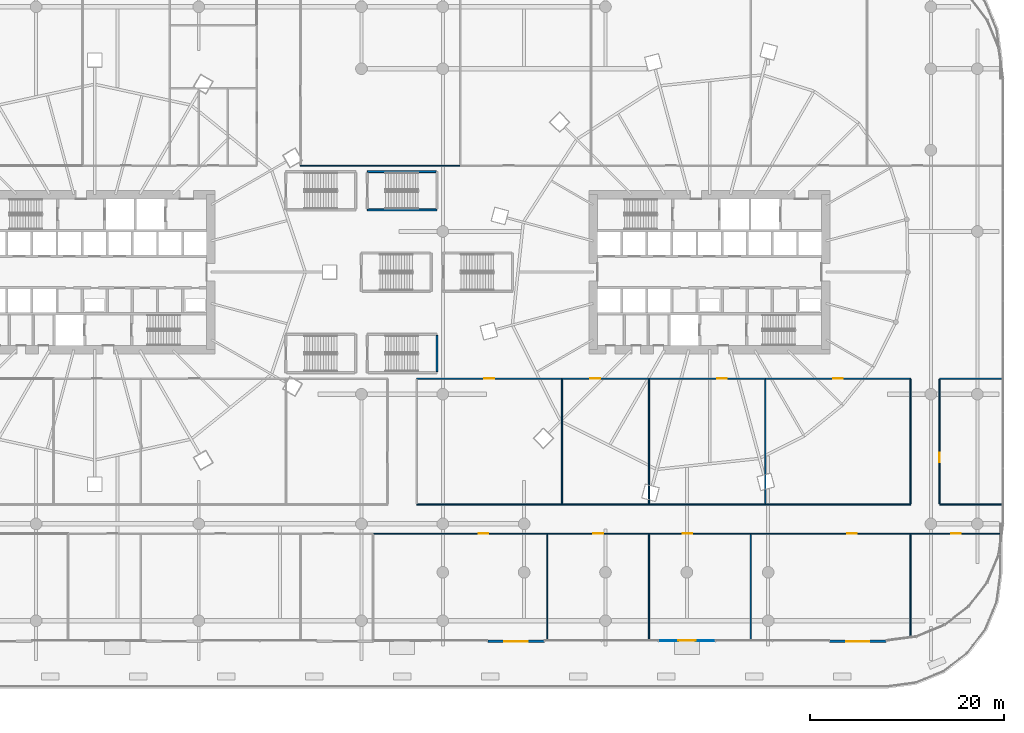
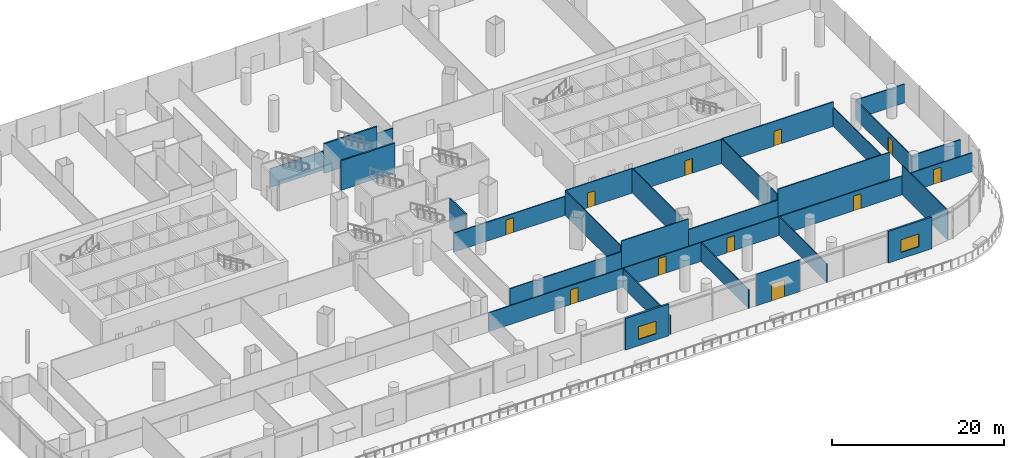
# One storey, part 31 of 43: 31 walls, 11 doors, 2 windows, 13 openings.
"""IFC4 building model written with IfcOpenShell, lengths in metres."""

import ifcopenshell
import ifcopenshell.guid

model = None  # the IFC model being written
_history = None  # IfcOwnerHistory: only IFC2X3 demands one
_inside = {}  # id of a spatial element -> (the spatial element, [elements in it])
_under = {}  # id of a project, library or spatial element -> (it, [spatial elements below it])
_declared = {}  # id of a project -> (the project, [libraries it declares])
_typed = {}  # id of a type object -> (the type object, [elements of that type])
_made_of = {}  # id of a material, layer set ... -> (it, [elements and type objects made of it])


def new_model(schema):
    """Start an empty IFC model of exactly this schema.

    Asked for "IFC4X3", IfcOpenShell would pick the latest addendum, in which some entities
    have other attributes; the version numbers below select the first issue.
    IFC2X3 requires an IfcOwnerHistory on every rooted entity: one is made here for all.
    """
    global model, _history
    if schema == "IFC4X3":
        model = ifcopenshell.file(schema_version=(4, 3, 0, 0))
    else:
        model = ifcopenshell.file(schema=schema)
    _inside.clear()
    _under.clear()
    _declared.clear()
    _typed.clear()
    _made_of.clear()
    _history = None
    if model.schema == "IFC2X3":
        org = make("IfcOrganization", Name="unknown")
        user = make(
            "IfcPersonAndOrganization",
            ThePerson=make("IfcPerson", FamilyName="unknown"),
            TheOrganization=org,
        )
        app = make(
            "IfcApplication",
            ApplicationDeveloper=org,
            Version="unknown",
            ApplicationFullName="unknown",
            ApplicationIdentifier="unknown",
        )
        _history = make(
            "IfcOwnerHistory",
            OwningUser=user,
            OwningApplication=app,
            ChangeAction="ADDED",
            CreationDate=0,
        )
    return model


def make(cls, **values):
    """One entity of the class cls with the attributes given. An attribute that is None is left unset."""
    return model.create_entity(
        cls, **{name: value for name, value in values.items() if value is not None}
    )


def rooted(cls, **values):
    """An entity with a GlobalId (a new one), such as an element, a storey or a relation."""
    return make(cls, GlobalId=ifcopenshell.guid.new(), OwnerHistory=_history, **values)


def si_unit(unit_type, name, prefix=None):
    """IfcSIUnit, for example si_unit("LENGTHUNIT", "METRE", prefix="MILLI")."""
    return make("IfcSIUnit", UnitType=unit_type, Prefix=prefix, Name=name)


def assignment(units):
    """IfcUnitAssignment: the units of a project."""
    return None if units is None else make("IfcUnitAssignment", Units=units)


def point(xyz):
    """IfcCartesianPoint."""
    return None if xyz is None else make("IfcCartesianPoint", Coordinates=xyz)


def direction(xyz):
    """IfcDirection."""
    return None if xyz is None else make("IfcDirection", DirectionRatios=xyz)


def frame(location, z_axis=None, x_axis=None):
    """IfcAxis2Placement3D, a coordinate frame: its origin and axes. An axis left out is left unset."""
    return make(
        "IfcAxis2Placement3D",
        Location=point(location),
        Axis=direction(z_axis),
        RefDirection=direction(x_axis),
    )


def frame_2d(location, x_axis=None):
    """IfcAxis2Placement2D, a coordinate frame in the plane: its origin and x axis."""
    return make(
        "IfcAxis2Placement2D", Location=point(location), RefDirection=direction(x_axis)
    )


def origin():
    """The frame at (0, 0, 0) with its axes left unset."""
    return frame((0.0, 0.0, 0.0))


def place(relative_to, where):
    """IfcLocalPlacement: puts the frame where relative to a parent placement (None: the world)."""
    return make(
        "IfcLocalPlacement", PlacementRelTo=relative_to, RelativePlacement=where
    )


def context(
    kind, dimensions, precision=None, world=None, true_north=None, identifier=None
):
    """IfcGeometricRepresentationContext, for example the 3D "Model" context."""
    return make(
        "IfcGeometricRepresentationContext",
        ContextIdentifier=identifier,
        ContextType=kind,
        CoordinateSpaceDimension=dimensions,
        Precision=precision,
        WorldCoordinateSystem=world,
        TrueNorth=true_north,
    )


def subcontext(parent, identifier, kind, view, scale=None):
    """IfcGeometricRepresentationSubContext, for example "Body" below "Model"."""
    return make(
        "IfcGeometricRepresentationSubContext",
        ContextIdentifier=identifier,
        ContextType=kind,
        ParentContext=parent,
        TargetScale=scale,
        TargetView=view,
    )


def project(units=None, contexts=None):
    """IfcProject with its units and contexts."""
    return rooted(
        "IfcProject",
        Name="project",
        RepresentationContexts=contexts,
        UnitsInContext=assignment(units),
    )


def spatial(cls, under=None, at=None, **own):
    """A site, building, storey or space (cls), placed at a placement, below another one or the project."""
    s = rooted(cls, ObjectPlacement=at, **own)
    if under is not None:
        _under.setdefault(under.id(), (under, []))[1].append(s)
    return s


def profile(cls, at=None, kind="AREA", **sizes):
    """A parametric profile (cls). Its sizes go by their IFC names, for example OverallWidth=200.0."""
    return make(cls, ProfileType=kind, Position=at, **sizes)


def rectangle(**sizes):
    """IfcRectangleProfileDef."""
    return profile("IfcRectangleProfileDef", **sizes)


def extrude(swept, where, along, depth):
    """IfcExtrudedAreaSolid: the profile swept, set in the frame where, extruded along a direction by depth."""
    return make(
        "IfcExtrudedAreaSolid",
        SweptArea=swept,
        Position=where,
        ExtrudedDirection=direction(along),
        Depth=depth,
    )


def shape(context_of_items, identifier, shape_type, items):
    """IfcShapeRepresentation: the items that make up one representation, for example the "Body"."""
    return make(
        "IfcShapeRepresentation",
        ContextOfItems=context_of_items,
        RepresentationIdentifier=identifier,
        RepresentationType=shape_type,
        Items=items,
    )


def material(Name=None, Category=None):
    """IfcMaterial."""
    return make("IfcMaterial", Name=Name, Category=Category)


def layer(
    of_material, thickness, ventilated=None, Name=None, Category=None, Priority=None
):
    """IfcMaterialLayer: one layer of a wall or slab, of a material (None: an air gap)."""
    return make(
        "IfcMaterialLayer",
        Material=of_material,
        LayerThickness=thickness,
        IsVentilated=ventilated,
        Name=Name,
        Category=Category,
        Priority=Priority,
    )


def layer_set(layers, Name=None):
    """IfcMaterialLayerSet."""
    return make("IfcMaterialLayerSet", MaterialLayers=layers, LayerSetName=Name)


def made_of(thing, what):
    """Note that an element or type object is made of a material, layer set ...; save() writes the relation."""
    if what is not None:
        _made_of.setdefault(what.id(), (what, []))[1].append(thing)
    return thing


def type_object(cls, material=None, **own):
    """A type object (cls), such as IfcWallType, which elements share."""
    return made_of(rooted(cls, **own), material)


def element(
    cls,
    number,
    at=None,
    inside=None,
    cuts=None,
    type_object=None,
    material=None,
    context=None,
    identifier="Body",
    shape_type=None,
    held_by="IfcProductDefinitionShape",
    body=None,
    shapes=None,
    **own,
):
    """One element of the class cls, such as IfcWall. Its Tag is "e" and its number.

    at: its placement. inside: the storey or other place that contains it. cuts: it is an
    opening in that element (IfcRelVoidsElement). A single representation is given by context,
    identifier, shape_type and body (its items); several are given by shapes. held_by: the class
    of the entity that holds the representations. save() writes the other relations.
    """
    e = rooted(cls, Tag="e%d" % number, ObjectPlacement=at, **own)
    if body is not None:
        shapes = [shape(context, identifier, shape_type, body)]
    if shapes is not None:
        e.Representation = make(held_by, Representations=shapes)
    if inside is not None:
        _inside.setdefault(inside.id(), (inside, []))[1].append(e)
    if cuts is not None:
        rooted(
            "IfcRelVoidsElement", RelatingBuildingElement=cuts, RelatedOpeningElement=e
        )
    if type_object is not None:
        _typed.setdefault(type_object.id(), (type_object, []))[1].append(e)
    return made_of(e, material)


def fill(opening, filler):
    """IfcRelFillsElement: the door or window that sits in an opening."""
    return rooted(
        "IfcRelFillsElement",
        RelatingOpeningElement=opening,
        RelatedBuildingElement=filler,
    )


def aggregate(whole, parts):
    """IfcRelAggregates: a whole, such as a stair, and the parts it consists of."""
    return rooted("IfcRelAggregates", RelatingObject=whole, RelatedObjects=parts)


def save(model, path):
    """Write the relations noted so far, then the file.

    IfcRelAggregates (storeys below a building ...), IfcRelContainedInSpatialStructure (elements
    in a storey), IfcRelDefinesByType, IfcRelAssociatesMaterial and IfcRelDeclares: one each for
    every whole, place, type object, material and project.
    """
    for whole, parts in _under.values():
        aggregate(whole, parts)
    for where, things in _inside.values():
        rooted(
            "IfcRelContainedInSpatialStructure",
            RelatedElements=things,
            RelatingStructure=where,
        )
    for kind, things in _typed.values():
        rooted("IfcRelDefinesByType", RelatedObjects=things, RelatingType=kind)
    for what, things in _made_of.values():
        rooted("IfcRelAssociatesMaterial", RelatedObjects=things, RelatingMaterial=what)
    for by, libraries in _declared.values():
        rooted("IfcRelDeclares", RelatingContext=by, RelatedDefinitions=libraries)
    model.write(path)


model = new_model("IFC4")

# Units and contexts
model_context = context("Model", 3, precision=1e-05, world=origin(), true_north=direction((0.0, 1.0)))
body_context = subcontext(model_context, "Body", "Model", "MODEL_VIEW")
ifc_project = project(units=[si_unit("LENGTHUNIT", "METRE"), si_unit("AREAUNIT", "SQUARE_METRE"), si_unit("VOLUMEUNIT", "CUBIC_METRE"), si_unit("PLANEANGLEUNIT", "RADIAN"), si_unit("MASSUNIT", "GRAM", prefix="KILO")], contexts=[model_context])

# Site, building, storey
site_placement = place(None, origin())
site = spatial("IfcSite", under=ifc_project, at=site_placement, CompositionType="ELEMENT")
building_placement = place(site_placement, origin())
building = spatial("IfcBuilding", under=site, at=building_placement, Name="Rimbun Link Towers", CompositionType="ELEMENT")
storey_placement = place(building_placement, frame((0.0, 0.0, 12.0)))
storey = spatial("IfcBuildingStorey", under=building, at=storey_placement, Name="L02", CompositionType="ELEMENT", Elevation=12.0)

# Wall, opening, door
ifc_material_1 = material(Name="Aluminium framed insulated infill panel", Category="aluminium")
ifc_layer_1 = layer(ifc_material_1, 0.10009765625)
ifc_layer_set_1 = layer_set([ifc_layer_1], Name="ED framed infill wall 100")
wall_type_1 = type_object("IfcWallType", Name="ED framed infill wall 100", PredefinedType="STANDARD", material=ifc_layer_set_1)
wall_1_placement = place(storey_placement, frame((32.3330078125, -38.050048828125, 0.0), z_axis=(0.0, 0.0, 1.0), x_axis=(-1.0, 0.0, 0.0)))
wall_1 = element("IfcWall", 1, at=wall_1_placement, inside=storey, type_object=wall_type_1, Name="Framed door bay wall", PredefinedType="STANDARD", context=body_context, shape_type="SweptSolid", body=[
    extrude(rectangle(XDim=5.842529296875, YDim=0.10009765625, at=frame_2d((2.92138671875, 0.0))), origin(), (0.0, 0.0, 1.0), 4.5),
])
opening_1_placement = place(wall_1_placement, frame((2.021240234375, 0.0, 0.0)))
opening_1 = element("IfcOpeningElement", 2, at=opening_1_placement, cuts=wall_1, Name="Opening ED34", PredefinedType="OPENING", context=body_context, shape_type="SweptSolid", body=[
    extrude(rectangle(XDim=1.800048828125, YDim=2.39990234375, at=frame_2d((0.89990234375, 1.199951171875))), frame((0.0, 0.06005859375, 0.0), z_axis=(0.0, -1.0, 0.0), x_axis=(1.0, 0.0, 0.0)), (0.0, 0.0, 1.0), 0.1201171875),
])
ifc_material_2 = material(Name="Aluminium framed glazed door, low-iron glass", Category="aluminium")
door_type_1 = type_object("IfcDoorType", Name="ED terrace door double leaf 1800X2400", OperationType="DOUBLE_DOOR_SINGLE_SWING", PredefinedType="DOOR", material=ifc_material_2)
door_1_placement = place(opening_1_placement, origin())
door_1 = element("IfcDoor", 3, at=door_1_placement, inside=storey, type_object=door_type_1, Name="Terrace door", OperationType="SINGLE_SWING_LEFT", OverallHeight=2.39990234375, OverallWidth=1.800048828125, PredefinedType="DOOR", context=body_context, shape_type="SweptSolid", body=[
    extrude(rectangle(XDim=1.800048828125, YDim=2.39990234375, at=frame_2d((0.89990234375, 1.199951171875))), frame((0.0, 0.02490234375, 0.0), z_axis=(0.0, -1.0, 0.0), x_axis=(1.0, 0.0, 0.0)), (0.0, 0.0, 1.0), 0.050048828125),
])
fill(opening_1, door_1)

# Wall, opening, window
ifc_material_3 = material(Name="Concrete C32/40, terracotta rainscreen cladding", Category="masonry")
ifc_layer_2 = layer(ifc_material_3, 0.25)
ifc_layer_set_2 = layer_set([ifc_layer_2], Name="PD solid bay wall 250")
wall_type_2 = type_object("IfcWallType", Name="PD solid bay wall 250", PredefinedType="STANDARD", material=ifc_layer_set_2)
wall_2_placement = place(storey_placement, frame((14.685791015625, -38.125, 0.0), z_axis=(0.0, 0.0, 1.0), x_axis=(-1.0, 0.0, 0.0)))
wall_2 = element("IfcWall", 4, at=wall_2_placement, inside=storey, type_object=wall_type_2, Name="Solid bay wall", PredefinedType="STANDARD", context=body_context, shape_type="SweptSolid", body=[
    extrude(rectangle(XDim=5.84228515625, YDim=0.25, at=frame_2d((2.921142578125, 0.0))), origin(), (0.0, 0.0, 1.0), 4.5),
])
opening_2_placement = place(wall_2_placement, frame((1.72119140625, 0.0, 0.89990234375)))
opening_2 = element("IfcOpeningElement", 5, at=opening_2_placement, cuts=wall_2, Name="Opening WN08", PredefinedType="OPENING", context=body_context, shape_type="SweptSolid", body=[
    extrude(rectangle(XDim=2.39990234375, YDim=1.800048828125, at=frame_2d((1.199951171875, 0.89990234375))), frame((0.0, 0.135009765625, 0.0), z_axis=(0.0, -1.0, 0.0), x_axis=(1.0, 0.0, 0.0)), (0.0, 0.0, 1.0), 0.27001953125),
])
ifc_material_4 = material(Name="Aluminium framed window, low-iron glass", Category="aluminium")
window_type = type_object("IfcWindowType", Name="W1 podium window 2400X1800", PartitioningType="SINGLE_PANEL", PredefinedType="WINDOW", material=ifc_material_4)
window_1_placement = place(opening_2_placement, origin())
window_1 = element("IfcWindow", 6, at=window_1_placement, inside=storey, type_object=window_type, Name="Podium window", OverallHeight=1.800048828125, OverallWidth=2.39990234375, PartitioningType="SINGLE_PANEL", PredefinedType="WINDOW", context=body_context, shape_type="SweptSolid", body=[
    extrude(rectangle(XDim=2.39990234375, YDim=1.800048828125, at=frame_2d((1.199951171875, 0.89990234375))), frame((0.0, 0.030029296875, 0.0), z_axis=(0.0, -1.0, 0.0), x_axis=(1.0, 0.0, 0.0)), (0.0, 0.0, 1.0), 0.06005859375),
])
fill(opening_2, window_1)

wall_3_placement = place(storey_placement, frame((49.97998046875, -38.125, 0.0), z_axis=(0.0, 0.0, 1.0), x_axis=(-1.0, 0.0, 0.0)))
wall_3 = element("IfcWall", 7, at=wall_3_placement, inside=storey, type_object=wall_type_2, Name="Solid bay wall", PredefinedType="STANDARD", context=body_context, shape_type="SweptSolid", body=[
    extrude(rectangle(XDim=5.84228515625, YDim=0.25, at=frame_2d((2.921142578125, 0.0))), origin(), (0.0, 0.0, 1.0), 4.5),
])
opening_3_placement = place(wall_3_placement, frame((1.72119140625, 0.0, 0.89990234375)))
opening_3 = element("IfcOpeningElement", 8, at=opening_3_placement, cuts=wall_3, Name="Opening WN09", PredefinedType="OPENING", context=body_context, shape_type="SweptSolid", body=[
    extrude(rectangle(XDim=2.39990234375, YDim=1.800048828125, at=frame_2d((1.199951171875, 0.89990234375))), frame((0.0, 0.135009765625, 0.0), z_axis=(0.0, -1.0, 0.0), x_axis=(1.0, 0.0, 0.0)), (0.0, 0.0, 1.0), 0.27001953125),
])
window_2_placement = place(opening_3_placement, origin())
window_2 = element("IfcWindow", 9, at=window_2_placement, inside=storey, type_object=window_type, Name="Podium window", OverallHeight=1.800048828125, OverallWidth=2.39990234375, PartitioningType="SINGLE_PANEL", PredefinedType="WINDOW", context=body_context, shape_type="SweptSolid", body=[
    extrude(rectangle(XDim=2.39990234375, YDim=1.800048828125, at=frame_2d((1.199951171875, 0.89990234375))), frame((0.0, 0.030029296875, 0.0), z_axis=(0.0, -1.0, 0.0), x_axis=(1.0, 0.0, 0.0)), (0.0, 0.0, 1.0), 0.06005859375),
])
fill(opening_3, window_2)

# Wall, opening, door
ifc_material_5 = material(Name="Gypsum board on steel studs", Category="steel")
ifc_layer_3 = layer(ifc_material_5, 0.125)
ifc_layer_set_3 = layer_set([ifc_layer_3], Name="Partition 125 board on studs")
wall_type_3 = type_object("IfcWallType", Name="Partition 125 board on studs", PredefinedType="PARTITIONING", material=ifc_layer_set_3)
wall_4_placement = place(storey_placement, frame((1.5, -11.0, 0.0), z_axis=(0.0, 0.0, 1.0), x_axis=(1.0, 0.0, 0.0)))
wall_4 = element("IfcWall", 10, at=wall_4_placement, inside=storey, type_object=wall_type_3, Name="PD/PW/L02/030", PredefinedType="PARTITIONING", context=body_context, shape_type="SweptSolid", body=[
    extrude(rectangle(XDim=15.0, YDim=0.125, at=frame_2d((7.5, 0.0))), origin(), (0.0, 0.0, 1.0), 2.679931640625),
])
opening_4_placement = place(wall_4_placement, frame((7.0, 0.0, 0.0)))
opening_4 = element("IfcOpeningElement", 11, at=opening_4_placement, cuts=wall_4, Name="Opening PD D02.16", PredefinedType="OPENING", context=body_context, shape_type="SweptSolid", body=[
    extrude(rectangle(XDim=1.0, YDim=2.10009765625, at=frame_2d((0.5, 1.050048828125))), frame((0.0, 0.072509765625, 0.0), z_axis=(0.0, -1.0, 0.0), x_axis=(1.0, 0.0, 0.0)), (0.0, 0.0, 1.0), 0.14501953125),
])
ifc_material_6 = material(Name="Timber door set", Category="wood")
door_type_2 = type_object("IfcDoorType", Name="Door single leaf 1000 x 2100", OperationType="NOTDEFINED", PredefinedType="DOOR", material=ifc_material_6)
door_2_placement = place(opening_4_placement, origin())
door_2 = element("IfcDoor", 12, at=door_2_placement, inside=storey, type_object=door_type_2, Name="PD/DR/L02/016", OperationType="SINGLE_SWING_LEFT", OverallHeight=2.10009765625, OverallWidth=1.0, PredefinedType="DOOR", context=body_context, shape_type="SweptSolid", body=[
    extrude(rectangle(XDim=1.0, YDim=2.10009765625, at=frame_2d((0.5, 1.050048828125))), frame((0.0, 0.02490234375, 0.0), z_axis=(0.0, -1.0, 0.0), x_axis=(1.0, 0.0, 0.0)), (0.0, 0.0, 1.0), 0.050048828125),
])
fill(opening_4, door_2)

wall_5_placement = place(storey_placement, frame((16.5, -11.0, 0.0), z_axis=(0.0, 0.0, 1.0), x_axis=(1.0, 0.0, 0.0)))
wall_5 = element("IfcWall", 13, at=wall_5_placement, inside=storey, type_object=wall_type_3, Name="PD/PW/L02/031", PredefinedType="PARTITIONING", context=body_context, shape_type="SweptSolid", body=[
    extrude(rectangle(XDim=9.0, YDim=0.125, at=frame_2d((4.5, 0.0))), origin(), (0.0, 0.0, 1.0), 3.49609375),
])
opening_5_placement = place(wall_5_placement, frame((2.93505859375, 0.0, 0.0)))
opening_5 = element("IfcOpeningElement", 14, at=opening_5_placement, cuts=wall_5, Name="Opening PD D02.17", PredefinedType="OPENING", context=body_context, shape_type="SweptSolid", body=[
    extrude(rectangle(XDim=1.0, YDim=2.10009765625, at=frame_2d((0.5, 1.050048828125))), frame((0.0, 0.072509765625, 0.0), z_axis=(0.0, -1.0, 0.0), x_axis=(1.0, 0.0, 0.0)), (0.0, 0.0, 1.0), 0.14501953125),
])
door_3_placement = place(opening_5_placement, origin())
door_3 = element("IfcDoor", 15, at=door_3_placement, inside=storey, type_object=door_type_2, Name="PD/DR/L02/017", OperationType="SINGLE_SWING_RIGHT", OverallHeight=2.10009765625, OverallWidth=1.0, PredefinedType="DOOR", context=body_context, shape_type="SweptSolid", body=[
    extrude(rectangle(XDim=1.0, YDim=2.10009765625, at=frame_2d((0.5, 1.050048828125))), frame((0.0, 0.02490234375, 0.0), z_axis=(0.0, -1.0, 0.0), x_axis=(1.0, 0.0, 0.0)), (0.0, 0.0, 1.0), 0.050048828125),
])
fill(opening_5, door_3)

wall_6_placement = place(storey_placement, frame((25.5, -11.0, 0.0), z_axis=(0.0, 0.0, 1.0), x_axis=(1.0, 0.0, 0.0)))
wall_6 = element("IfcWall", 16, at=wall_6_placement, inside=storey, type_object=wall_type_3, Name="PD/PW/L02/032", PredefinedType="PARTITIONING", context=body_context, shape_type="SweptSolid", body=[
    extrude(rectangle(XDim=12.0, YDim=0.125, at=frame_2d((6.0, 0.0))), origin(), (0.0, 0.0, 1.0), 3.41796875),
])
opening_6_placement = place(wall_6_placement, frame((7.014892578125, 0.0, 0.0)))
opening_6 = element("IfcOpeningElement", 17, at=opening_6_placement, cuts=wall_6, Name="Opening PD D02.18", PredefinedType="OPENING", context=body_context, shape_type="SweptSolid", body=[
    extrude(rectangle(XDim=1.0, YDim=2.10009765625, at=frame_2d((0.5, 1.050048828125))), frame((0.0, 0.072509765625, 0.0), z_axis=(0.0, -1.0, 0.0), x_axis=(1.0, 0.0, 0.0)), (0.0, 0.0, 1.0), 0.14501953125),
])
door_4_placement = place(opening_6_placement, origin())
door_4 = element("IfcDoor", 18, at=door_4_placement, inside=storey, type_object=door_type_2, Name="PD/DR/L02/018", OperationType="SINGLE_SWING_LEFT", OverallHeight=2.10009765625, OverallWidth=1.0, PredefinedType="DOOR", context=body_context, shape_type="SweptSolid", body=[
    extrude(rectangle(XDim=1.0, YDim=2.10009765625, at=frame_2d((0.5, 1.050048828125))), frame((0.0, 0.02490234375, 0.0), z_axis=(0.0, -1.0, 0.0), x_axis=(1.0, 0.0, 0.0)), (0.0, 0.0, 1.0), 0.050048828125),
])
fill(opening_6, door_4)

wall_7_placement = place(storey_placement, frame((37.5, -11.0, 0.0), z_axis=(0.0, 0.0, 1.0), x_axis=(1.0, 0.0, 0.0)))
wall_7 = element("IfcWall", 19, at=wall_7_placement, inside=storey, type_object=wall_type_3, Name="PD/PW/L02/033", PredefinedType="PARTITIONING", context=body_context, shape_type="SweptSolid", body=[
    extrude(rectangle(XDim=15.0, YDim=0.125, at=frame_2d((7.5, 0.0))), origin(), (0.0, 0.0, 1.0), 3.49609375),
])
opening_7_placement = place(wall_7_placement, frame((7.0, 0.0, 0.0)))
opening_7 = element("IfcOpeningElement", 20, at=opening_7_placement, cuts=wall_7, Name="Opening PD D02.19", PredefinedType="OPENING", context=body_context, shape_type="SweptSolid", body=[
    extrude(rectangle(XDim=1.0, YDim=2.10009765625, at=frame_2d((0.5, 1.050048828125))), frame((0.0, 0.072509765625, 0.0), z_axis=(0.0, -1.0, 0.0), x_axis=(1.0, 0.0, 0.0)), (0.0, 0.0, 1.0), 0.14501953125),
])
door_5_placement = place(opening_7_placement, origin())
door_5 = element("IfcDoor", 21, at=door_5_placement, inside=storey, type_object=door_type_2, Name="PD/DR/L02/019", OperationType="SINGLE_SWING_RIGHT", OverallHeight=2.10009765625, OverallWidth=1.0, PredefinedType="DOOR", context=body_context, shape_type="SweptSolid", body=[
    extrude(rectangle(XDim=1.0, YDim=2.10009765625, at=frame_2d((0.5, 1.050048828125))), frame((0.0, 0.02490234375, 0.0), z_axis=(0.0, -1.0, 0.0), x_axis=(1.0, 0.0, 0.0)), (0.0, 0.0, 1.0), 0.050048828125),
])
fill(opening_7, door_5)

# Walls
wall_8_placement = place(storey_placement, frame((55.5, -11.0, 0.0), z_axis=(0.0, 0.0, 1.0), x_axis=(1.0, 0.0, 0.0)))
element("IfcWall", 22, at=wall_8_placement, inside=storey, type_object=wall_type_3, Name="PD/PW/L02/034", PredefinedType="PARTITIONING", context=body_context, shape_type="SweptSolid", body=[
    extrude(rectangle(XDim=6.580078125, YDim=0.125, at=frame_2d((3.2900390625, 0.0))), origin(), (0.0, 0.0, 1.0), 2.679931640625),
])
wall_9_placement = place(storey_placement, frame((6.0, 11.0, 0.0), z_axis=(0.0, 0.0, 1.0), x_axis=(-1.0, 0.0, 0.0)))
element("IfcWall", 23, at=wall_9_placement, inside=storey, type_object=wall_type_3, Name="PD/PW/L02/041", PredefinedType="PARTITIONING", context=body_context, shape_type="SweptSolid", body=[
    extrude(rectangle(XDim=16.5, YDim=0.125, at=frame_2d((8.25, 0.0))), origin(), (0.0, 0.0, 1.0), 2.679931640625),
])

# Wall, opening, door
wall_10_placement = place(storey_placement, frame((-3.0, -27.0, 0.0), z_axis=(0.0, 0.0, 1.0), x_axis=(1.0, 0.0, 0.0)))
wall_10 = element("IfcWall", 24, at=wall_10_placement, inside=storey, type_object=wall_type_3, Name="PD/PW/L02/051", PredefinedType="PARTITIONING", context=body_context, shape_type="SweptSolid", body=[
    extrude(rectangle(XDim=18.0, YDim=0.125, at=frame_2d((9.0, 0.0))), origin(), (0.0, 0.0, 1.0), 2.679931640625),
])
opening_8_placement = place(wall_10_placement, frame((10.9150390625, 0.0, 0.0)))
opening_8 = element("IfcOpeningElement", 25, at=opening_8_placement, cuts=wall_10, Name="Opening PD D02.06", PredefinedType="OPENING", context=body_context, shape_type="SweptSolid", body=[
    extrude(rectangle(XDim=1.0, YDim=2.10009765625, at=frame_2d((0.5, 1.050048828125))), frame((0.0, 0.072509765625, 0.0), z_axis=(0.0, -1.0, 0.0), x_axis=(1.0, 0.0, 0.0)), (0.0, 0.0, 1.0), 0.14501953125),
])
door_6_placement = place(opening_8_placement, origin())
door_6 = element("IfcDoor", 26, at=door_6_placement, inside=storey, type_object=door_type_2, Name="PD/DR/L02/006", OperationType="SINGLE_SWING_LEFT", OverallHeight=2.10009765625, OverallWidth=1.0, PredefinedType="DOOR", context=body_context, shape_type="SweptSolid", body=[
    extrude(rectangle(XDim=1.0, YDim=2.10009765625, at=frame_2d((0.5, 1.050048828125))), frame((0.0, 0.02490234375, 0.0), z_axis=(0.0, -1.0, 0.0), x_axis=(1.0, 0.0, 0.0)), (0.0, 0.0, 1.0), 0.050048828125),
])
fill(opening_8, door_6)

wall_11_placement = place(storey_placement, frame((15.0, -27.0, 0.0), z_axis=(0.0, 0.0, 1.0), x_axis=(1.0, 0.0, 0.0)))
wall_11 = element("IfcWall", 27, at=wall_11_placement, inside=storey, type_object=wall_type_3, Name="PD/PW/L02/052", PredefinedType="PARTITIONING", context=body_context, shape_type="SweptSolid", body=[
    extrude(rectangle(XDim=10.5, YDim=0.125, at=frame_2d((5.25, 0.0))), origin(), (0.0, 0.0, 1.0), 2.679931640625),
])
opening_9_placement = place(wall_11_placement, frame((4.75, 0.0, 0.0)))
opening_9 = element("IfcOpeningElement", 28, at=opening_9_placement, cuts=wall_11, Name="Opening PD D02.07", PredefinedType="OPENING", context=body_context, shape_type="SweptSolid", body=[
    extrude(rectangle(XDim=1.0, YDim=2.39990234375, at=frame_2d((0.5, 1.199951171875))), frame((0.0, 0.072509765625, 0.0), z_axis=(0.0, -1.0, 0.0), x_axis=(1.0, 0.0, 0.0)), (0.0, 0.0, 1.0), 0.14501953125),
])
ifc_material_7 = material(Name="Timber door set", Category="wood")
door_type_3 = type_object("IfcDoorType", Name="Hall door single leaf 1000 x 2400", OperationType="NOTDEFINED", PredefinedType="DOOR", material=ifc_material_7)
door_7_placement = place(opening_9_placement, origin())
door_7 = element("IfcDoor", 29, at=door_7_placement, inside=storey, type_object=door_type_3, Name="PD/DR/L02/007", OperationType="SINGLE_SWING_RIGHT", OverallHeight=2.39990234375, OverallWidth=1.0, PredefinedType="DOOR", context=body_context, shape_type="SweptSolid", body=[
    extrude(rectangle(XDim=1.0, YDim=2.39990234375, at=frame_2d((0.5, 1.199951171875))), frame((0.0, 0.02490234375, 0.0), z_axis=(0.0, -1.0, 0.0), x_axis=(1.0, 0.0, 0.0)), (0.0, 0.0, 1.0), 0.050048828125),
])
fill(opening_9, door_7)

wall_12_placement = place(storey_placement, frame((25.5, -27.0, 0.0), z_axis=(0.0, 0.0, 1.0), x_axis=(1.0, 0.0, 0.0)))
wall_12 = element("IfcWall", 30, at=wall_12_placement, inside=storey, type_object=wall_type_3, Name="PD/PW/L02/053", PredefinedType="PARTITIONING", context=body_context, shape_type="SweptSolid", body=[
    extrude(rectangle(XDim=10.5, YDim=0.125, at=frame_2d((5.25, 0.0))), origin(), (0.0, 0.0, 1.0), 2.679931640625),
])
opening_10_placement = place(wall_12_placement, frame((3.4599609375, 0.0, 0.0)))
opening_10 = element("IfcOpeningElement", 31, at=opening_10_placement, cuts=wall_12, Name="Opening PD D02.08", PredefinedType="OPENING", context=body_context, shape_type="SweptSolid", body=[
    extrude(rectangle(XDim=1.0, YDim=2.10009765625, at=frame_2d((0.5, 1.050048828125))), frame((0.0, 0.072509765625, 0.0), z_axis=(0.0, -1.0, 0.0), x_axis=(1.0, 0.0, 0.0)), (0.0, 0.0, 1.0), 0.14501953125),
])
door_8_placement = place(opening_10_placement, origin())
door_8 = element("IfcDoor", 32, at=door_8_placement, inside=storey, type_object=door_type_2, Name="PD/DR/L02/008", OperationType="SINGLE_SWING_LEFT", OverallHeight=2.10009765625, OverallWidth=1.0, PredefinedType="DOOR", context=body_context, shape_type="SweptSolid", body=[
    extrude(rectangle(XDim=1.0, YDim=2.10009765625, at=frame_2d((0.5, 1.050048828125))), frame((0.0, 0.02490234375, 0.0), z_axis=(0.0, -1.0, 0.0), x_axis=(1.0, 0.0, 0.0)), (0.0, 0.0, 1.0), 0.050048828125),
])
fill(opening_10, door_8)

wall_13_placement = place(storey_placement, frame((36.0, -27.0, 0.0), z_axis=(0.0, 0.0, 1.0), x_axis=(1.0, 0.0, 0.0)))
wall_13 = element("IfcWall", 33, at=wall_13_placement, inside=storey, type_object=wall_type_3, Name="PD/PW/L02/054", PredefinedType="PARTITIONING", context=body_context, shape_type="SweptSolid", body=[
    extrude(rectangle(XDim=16.5, YDim=0.125, at=frame_2d((8.25, 0.0))), origin(), (0.0, 0.0, 1.0), 2.679931640625),
])
opening_11_placement = place(wall_13_placement, frame((9.93994140625, 0.0, 0.0)))
opening_11 = element("IfcOpeningElement", 34, at=opening_11_placement, cuts=wall_13, Name="Opening PD D02.09", PredefinedType="OPENING", context=body_context, shape_type="SweptSolid", body=[
    extrude(rectangle(XDim=1.0, YDim=2.10009765625, at=frame_2d((0.5, 1.050048828125))), frame((0.0, 0.072509765625, 0.0), z_axis=(0.0, -1.0, 0.0), x_axis=(1.0, 0.0, 0.0)), (0.0, 0.0, 1.0), 0.14501953125),
])
door_9_placement = place(opening_11_placement, origin())
door_9 = element("IfcDoor", 35, at=door_9_placement, inside=storey, type_object=door_type_2, Name="PD/DR/L02/009", OperationType="SINGLE_SWING_RIGHT", OverallHeight=2.10009765625, OverallWidth=1.0, PredefinedType="DOOR", context=body_context, shape_type="SweptSolid", body=[
    extrude(rectangle(XDim=1.0, YDim=2.10009765625, at=frame_2d((0.5, 1.050048828125))), frame((0.0, 0.02490234375, 0.0), z_axis=(0.0, -1.0, 0.0), x_axis=(1.0, 0.0, 0.0)), (0.0, 0.0, 1.0), 0.050048828125),
])
fill(opening_11, door_9)

wall_14_placement = place(storey_placement, frame((52.5, -27.0, 0.0), z_axis=(0.0, 0.0, 1.0), x_axis=(1.0, 0.0, 0.0)))
wall_14 = element("IfcWall", 36, at=wall_14_placement, inside=storey, type_object=wall_type_3, Name="PD/PW/L02/055", PredefinedType="PARTITIONING", context=body_context, shape_type="SweptSolid", body=[
    extrude(rectangle(XDim=9.368408203125, YDim=0.125, at=frame_2d((4.68408203125, 0.0))), origin(), (0.0, 0.0, 1.0), 2.679931640625),
])
opening_12_placement = place(wall_14_placement, frame((4.18408203125, 0.0, 0.0)))
opening_12 = element("IfcOpeningElement", 37, at=opening_12_placement, cuts=wall_14, Name="Opening PD D02.10", PredefinedType="OPENING", context=body_context, shape_type="SweptSolid", body=[
    extrude(rectangle(XDim=1.0, YDim=2.10009765625, at=frame_2d((0.5, 1.050048828125))), frame((0.0, 0.072509765625, 0.0), z_axis=(0.0, -1.0, 0.0), x_axis=(1.0, 0.0, 0.0)), (0.0, 0.0, 1.0), 0.14501953125),
])
door_10_placement = place(opening_12_placement, origin())
door_10 = element("IfcDoor", 38, at=door_10_placement, inside=storey, type_object=door_type_2, Name="PD/DR/L02/010", OperationType="SINGLE_SWING_LEFT", OverallHeight=2.10009765625, OverallWidth=1.0, PredefinedType="DOOR", context=body_context, shape_type="SweptSolid", body=[
    extrude(rectangle(XDim=1.0, YDim=2.10009765625, at=frame_2d((0.5, 1.050048828125))), frame((0.0, 0.02490234375, 0.0), z_axis=(0.0, -1.0, 0.0), x_axis=(1.0, 0.0, 0.0)), (0.0, 0.0, 1.0), 0.050048828125),
])
fill(opening_12, door_10)

# Walls
wall_15_placement = place(storey_placement, frame((16.5, -24.0, 0.0), z_axis=(0.0, 0.0, 1.0), x_axis=(-1.0, 0.0, 0.0)))
element("IfcWall", 39, at=wall_15_placement, inside=storey, type_object=wall_type_3, Name="PD/PW/L02/061", PredefinedType="PARTITIONING", context=body_context, shape_type="SweptSolid", body=[
    extrude(rectangle(XDim=15.0, YDim=0.125, at=frame_2d((7.5, 0.0))), origin(), (0.0, 0.0, 1.0), 2.679931640625),
])
wall_16_placement = place(storey_placement, frame((25.5, -24.0, 0.0), z_axis=(0.0, 0.0, 1.0), x_axis=(-1.0, 0.0, 0.0)))
element("IfcWall", 40, at=wall_16_placement, inside=storey, type_object=wall_type_3, Name="PD/PW/L02/062", PredefinedType="PARTITIONING", context=body_context, shape_type="SweptSolid", body=[
    extrude(rectangle(XDim=9.0, YDim=0.125, at=frame_2d((4.5, 0.0))), origin(), (0.0, 0.0, 1.0), 4.199951171875),
])
wall_17_placement = place(storey_placement, frame((37.5, -24.0, 0.0), z_axis=(0.0, 0.0, 1.0), x_axis=(-1.0, 0.0, 0.0)))
element("IfcWall", 41, at=wall_17_placement, inside=storey, type_object=wall_type_3, Name="PD/PW/L02/063", PredefinedType="PARTITIONING", context=body_context, shape_type="SweptSolid", body=[
    extrude(rectangle(XDim=12.0, YDim=0.125, at=frame_2d((6.0, 0.0))), origin(), (0.0, 0.0, 1.0), 2.679931640625),
])
wall_18_placement = place(storey_placement, frame((52.5, -24.0, 0.0), z_axis=(0.0, 0.0, 1.0), x_axis=(-1.0, 0.0, 0.0)))
element("IfcWall", 42, at=wall_18_placement, inside=storey, type_object=wall_type_3, Name="PD/PW/L02/064", PredefinedType="PARTITIONING", context=body_context, shape_type="SweptSolid", body=[
    extrude(rectangle(XDim=15.0, YDim=0.125, at=frame_2d((7.5, 0.0))), origin(), (0.0, 0.0, 1.0), 4.199951171875),
])
wall_19_placement = place(storey_placement, frame((62.080078125, -24.0, 0.0), z_axis=(0.0, 0.0, 1.0), x_axis=(-1.0, 0.0, 0.0)))
element("IfcWall", 43, at=wall_19_placement, inside=storey, type_object=wall_type_3, Name="PD/PW/L02/065", PredefinedType="PARTITIONING", context=body_context, shape_type="SweptSolid", body=[
    extrude(rectangle(XDim=6.580078125, YDim=0.125, at=frame_2d((3.2900390625, 0.0))), origin(), (0.0, 0.0, 1.0), 2.679931640625),
])
wall_20_placement = place(storey_placement, frame((52.5, -11.0625, 0.0), z_axis=(0.0, 0.0, 1.0), x_axis=(0.0, -1.0, 0.0)))
element("IfcWall", 44, at=wall_20_placement, inside=storey, type_object=wall_type_3, Name="PD/PW/L02/070", PredefinedType="PARTITIONING", context=body_context, shape_type="SweptSolid", body=[
    extrude(rectangle(XDim=12.875, YDim=0.125, at=frame_2d((6.4375, 0.0))), origin(), (0.0, 0.0, 1.0), 2.679931640625),
])

# Wall, opening, door
wall_21_placement = place(storey_placement, frame((55.5, -23.9375, 0.0), z_axis=(0.0, 0.0, 1.0), x_axis=(0.0, 1.0, 0.0)))
wall_21 = element("IfcWall", 45, at=wall_21_placement, inside=storey, type_object=wall_type_3, Name="PD/PW/L02/071", PredefinedType="PARTITIONING", context=body_context, shape_type="SweptSolid", body=[
    extrude(rectangle(XDim=12.875, YDim=0.125, at=frame_2d((6.4375, 0.0))), origin(), (0.0, 0.0, 1.0), 2.679931640625),
])
opening_13_placement = place(wall_21_placement, frame((4.291015625, 0.0, 0.0)))
opening_13 = element("IfcOpeningElement", 46, at=opening_13_placement, cuts=wall_21, Name="Opening PD D02.20", PredefinedType="OPENING", context=body_context, shape_type="SweptSolid", body=[
    extrude(rectangle(XDim=1.0, YDim=2.10009765625, at=frame_2d((0.5, 1.050048828125))), frame((0.0, 0.072509765625, 0.0), z_axis=(0.0, -1.0, 0.0), x_axis=(1.0, 0.0, 0.0)), (0.0, 0.0, 1.0), 0.14501953125),
])
door_11_placement = place(opening_13_placement, origin())
door_11 = element("IfcDoor", 47, at=door_11_placement, inside=storey, type_object=door_type_2, Name="PD/DR/L02/020", OperationType="SINGLE_SWING_LEFT", OverallHeight=2.10009765625, OverallWidth=1.0, PredefinedType="DOOR", context=body_context, shape_type="SweptSolid", body=[
    extrude(rectangle(XDim=1.0, YDim=2.10009765625, at=frame_2d((0.5, 1.050048828125))), frame((0.0, 0.02490234375, 0.0), z_axis=(0.0, -1.0, 0.0), x_axis=(1.0, 0.0, 0.0)), (0.0, 0.0, 1.0), 0.050048828125),
])
fill(opening_13, door_11)

# Walls
for number, where, z_axis, x_axis, name in (
    (48, (15.0, -38.080078125, 0.0), (0.0, 0.0, 1.0), (0.0, 1.0, 0.0), "PD/PW/L02/077"),
    (49, (25.5, -38.080078125, 0.0), (0.0, 0.0, 1.0), (0.0, 1.0, 0.0), "PD/PW/L02/078"),
    (50, (36.0, -38.080078125, 0.0), (0.0, 0.0, 1.0), (0.0, 1.0, 0.0), "PD/PW/L02/079"),
):
    element("IfcWall", number, at=place(storey_placement, frame(where, z_axis=z_axis, x_axis=x_axis)), inside=storey, type_object=wall_type_3, Name=name, PredefinedType="PARTITIONING", context=body_context, shape_type="SweptSolid", body=[
        extrude(rectangle(XDim=11.017578125, YDim=0.125, at=frame_2d((5.5087890625, 0.0))), origin(), (0.0, 0.0, 1.0), 2.679931640625),
    ])
wall_22_placement = place(storey_placement, frame((52.5, -37.6708984375, 0.0), z_axis=(0.0, 0.0, 1.0), x_axis=(0.0, 1.0, 0.0)))
element("IfcWall", 51, at=wall_22_placement, inside=storey, type_object=wall_type_3, Name="PD/PW/L02/080", PredefinedType="PARTITIONING", context=body_context, shape_type="SweptSolid", body=[
    extrude(rectangle(XDim=10.6083984375, YDim=0.125, at=frame_2d((5.30419921875, 0.0))), origin(), (0.0, 0.0, 1.0), 4.199951171875),
])
for number, where, z_axis, x_axis, name in (
    (52, (16.5, -23.9375, 0.0), (0.0, 0.0, 1.0), (0.0, 1.0, 0.0), "PD/PW/L02/084"),
    (53, (25.5, -23.9375, 0.0), (0.0, 0.0, 1.0), (0.0, 1.0, 0.0), "PD/PW/L02/085"),
    (54, (37.5, -23.9375, 0.0), (0.0, 0.0, 1.0), (0.0, 1.0, 0.0), "PD/PW/L02/086"),
):
    element("IfcWall", number, at=place(storey_placement, frame(where, z_axis=z_axis, x_axis=x_axis)), inside=storey, type_object=wall_type_3, Name=name, PredefinedType="PARTITIONING", context=body_context, shape_type="SweptSolid", body=[
        extrude(rectangle(XDim=12.875, YDim=0.125, at=frame_2d((6.4375, 0.0))), origin(), (0.0, 0.0, 1.0), 3.49609375),
    ])
ifc_material_8 = material(Name="Concrete C40/50", Category="concrete")
ifc_layer_4 = layer(ifc_material_8, 0.199951171875)
ifc_layer_set_4 = layer_set([ifc_layer_4], Name="Stair shaft wall 200")
wall_type_4 = type_object("IfcWallType", Name="Stair shaft wall 200", PredefinedType="SOLIDWALL", material=ifc_layer_set_4)
wall_23_placement = place(storey_placement, frame((3.60009765625, -10.27490234375, 0.0), z_axis=(0.0, 0.0, 1.0), x_axis=(0.0, 1.0, 0.0)))
element("IfcWall", 55, at=wall_23_placement, inside=storey, type_object=wall_type_4, Name="PD/PW/L02/008", PredefinedType="SOLIDWALL", context=body_context, shape_type="SweptSolid", body=[
    extrude(rectangle(XDim=3.75, YDim=0.199951171875, at=frame_2d((1.875, 0.0))), origin(), (0.0, 0.0, 1.0), 4.199951171875),
])
wall_24_placement = place(storey_placement, frame((-3.60009765625, 6.425048828125, 0.0), z_axis=(0.0, 0.0, 1.0), x_axis=(1.0, 0.0, 0.0)))
element("IfcWall", 56, at=wall_24_placement, inside=storey, type_object=wall_type_4, Name="PD/PW/L02/013", PredefinedType="SOLIDWALL", context=body_context, shape_type="SweptSolid", body=[
    extrude(rectangle(XDim=7.2001953125, YDim=0.199951171875, at=frame_2d((3.60009765625, 0.0))), origin(), (0.0, 0.0, 1.0), 4.199951171875),
])
wall_25_placement = place(storey_placement, frame((3.5, 10.375, 0.0), z_axis=(0.0, 0.0, 1.0), x_axis=(-1.0, 0.0, 0.0)))
element("IfcWall", 57, at=wall_25_placement, inside=storey, type_object=wall_type_4, Name="PD/PW/L02/015", PredefinedType="SOLIDWALL", context=body_context, shape_type="SweptSolid", body=[
    extrude(rectangle(XDim=7.10009765625, YDim=0.199951171875, at=frame_2d((3.550048828125, 0.0))), origin(), (0.0, 0.0, 1.0), 4.199951171875),
])

save(model, "model.ifc")
